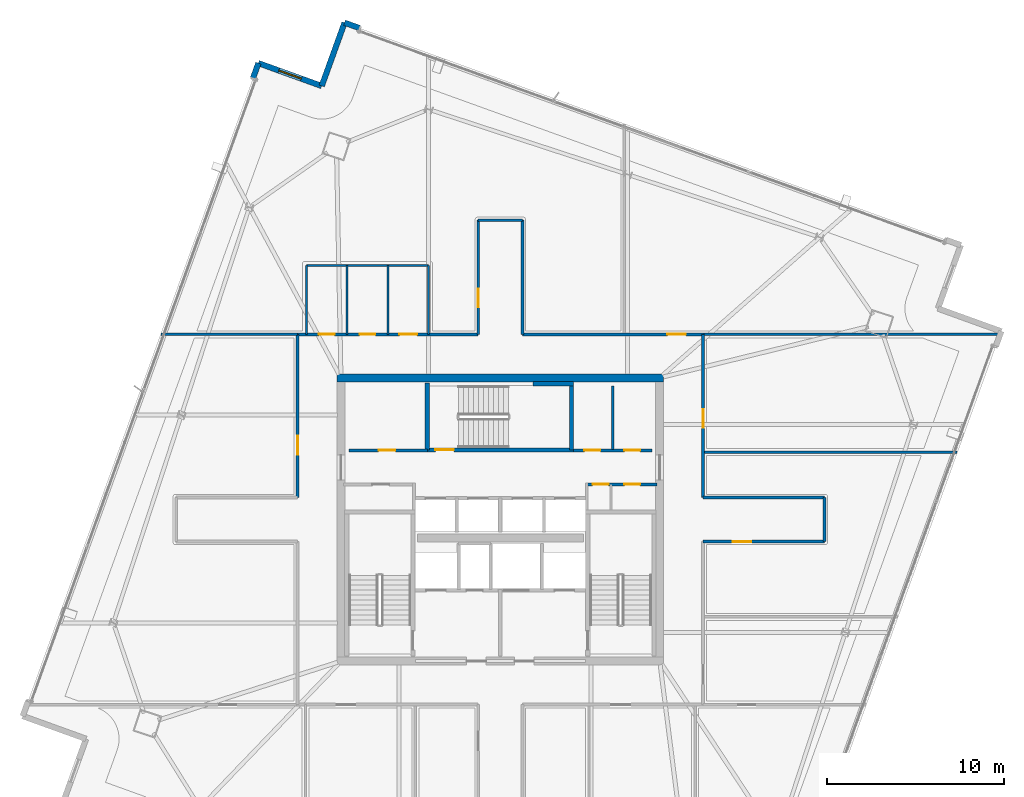
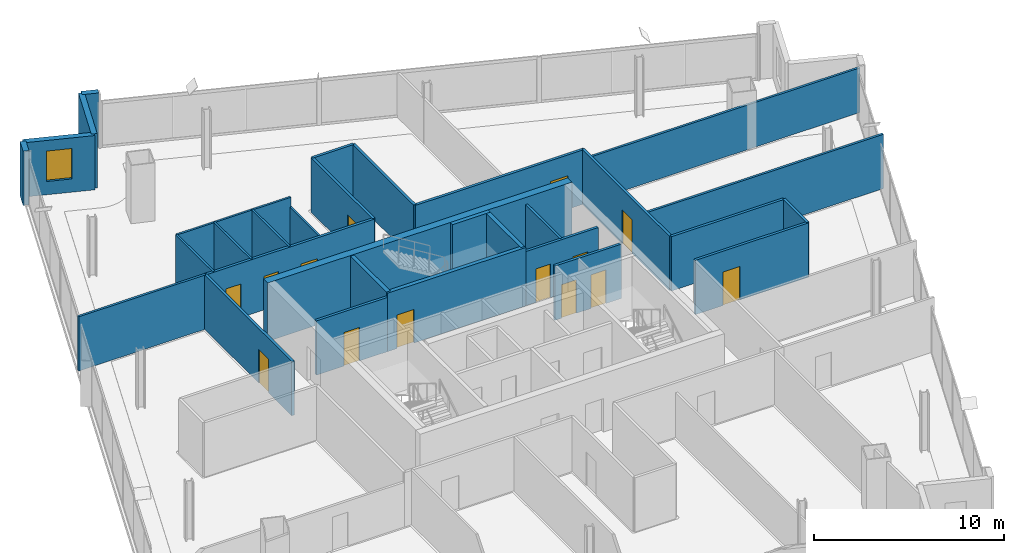
# One storey, part 21 of 27: 31 walls, 14 doors, 1 window, 15 openings.
"""IFC4 building model written with IfcOpenShell, lengths in metres."""

from ifc_helpers import new_model, si_unit, direction, frame, frame_2d, origin, place, context, subcontext, project, spatial, rectangle, extrude, material, layer, layer_set, type_object, element, fill, save


model = new_model("IFC4")

# Units and contexts
model_context = context("Model", 3, precision=1e-05, world=origin(), true_north=direction((0.0, 1.0)))
body_context = subcontext(model_context, "Body", "Model", "MODEL_VIEW")
ifc_project = project(units=[si_unit("LENGTHUNIT", "METRE"), si_unit("AREAUNIT", "SQUARE_METRE"), si_unit("VOLUMEUNIT", "CUBIC_METRE"), si_unit("PLANEANGLEUNIT", "RADIAN"), si_unit("MASSUNIT", "GRAM", prefix="KILO")], contexts=[model_context])

# Site, building, storey
site_placement = place(None, origin())
site = spatial("IfcSite", under=ifc_project, at=site_placement, CompositionType="ELEMENT")
building_placement = place(site_placement, origin())
building = spatial("IfcBuilding", under=site, at=building_placement, Name="Haldenkirk Collegiate Tower", CompositionType="ELEMENT")
storey_placement = place(building_placement, frame((0.0, 0.0, 263.699951171875)))
storey = spatial("IfcBuildingStorey", under=building, at=storey_placement, Name="L66", CompositionType="ELEMENT", Elevation=263.699951171875)

# Walls
ifc_material_1 = material(Name="Concrete f'c 55 MPa", Category="concrete")
ifc_layer_1 = layer(ifc_material_1, 0.449951171875)
ifc_layer_set_1 = layer_set([ifc_layer_1], Name="Concrete f'c 55 MPa")
wall_type_1 = type_object("IfcWallType", Name="WL-CORE-450", PredefinedType="SHEAR", material=ifc_layer_set_1)
wall_1_placement = place(storey_placement, frame((26.77490234375, 34.0, 0.0), z_axis=(0.0, 0.0, 1.0), x_axis=(1.0, 0.0, 0.0)))
element("IfcWall", 1, at=wall_1_placement, inside=storey, type_object=wall_type_1, Name="L66 central core shear wall N", PredefinedType="SHEAR", context=body_context, shape_type="SweptSolid", body=[
    extrude(rectangle(XDim=18.4501953125, YDim=0.449951171875, at=frame_2d((9.22509765625, 0.0))), origin(), (0.0, 0.0, 1.0), 3.75),
])
ifc_material_2 = material(Name="Precast concrete f'c 40 MPa", Category="concrete")
ifc_layer_2 = layer(ifc_material_2, 0.320068359375)
ifc_layer_set_2 = layer_set([ifc_layer_2], Name="Precast concrete f'c 40 MPa")
wall_type_2 = type_object("IfcWallType", Name="WL-EXT-TWR-320", PredefinedType="STANDARD", material=ifc_layer_set_2)
wall_2_placement = place(storey_placement, frame((27.203369140625, 54.0537109375, 0.0), z_axis=(0.0, 0.0, 1.0), x_axis=(0.940638134831, -0.339411106626, 0.0)))
element("IfcWall", 2, at=wall_2_placement, inside=storey, type_object=wall_type_2, Name="L66 precast corner pier EL", PredefinedType="STANDARD", context=body_context, shape_type="SweptSolid", body=[
    extrude(rectangle(XDim=0.89990234375, YDim=0.320068359375, at=frame_2d((0.449951171875, 0.0))), origin(), (0.0, 0.0, 1.0), 3.47998046875),
])
wall_3_placement = place(storey_placement, frame((25.912841796875, 50.4794921875, 0.0), z_axis=(0.0, 0.0, 1.0), x_axis=(0.339606573463, 0.940567581442, 0.0)))
element("IfcWall", 3, at=wall_3_placement, inside=storey, type_object=wall_type_2, Name="L66 bronze precast notch wall 05", PredefinedType="STANDARD", context=body_context, shape_type="SweptSolid", body=[
    extrude(rectangle(XDim=3.800048828125, YDim=0.320068359375, at=frame_2d((1.89990234375, 0.0))), origin(), (0.0, 0.0, 1.0), 3.47998046875),
])

# Wall, opening, window
wall_4_placement = place(storey_placement, frame((22.338623046875, 51.77001953125, 0.0), z_axis=(0.0, 0.0, 1.0), x_axis=(0.940567581442, -0.339606573463, 0.0)))
wall_4 = element("IfcWall", 4, at=wall_4_placement, inside=storey, type_object=wall_type_2, Name="L66 bronze precast notch wall 06", PredefinedType="STANDARD", context=body_context, shape_type="SweptSolid", body=[
    extrude(rectangle(XDim=3.800048828125, YDim=0.320068359375, at=frame_2d((1.89990234375, 0.0))), origin(), (0.0, 0.0, 1.0), 3.47998046875),
])
opening_1_placement = place(wall_4_placement, frame((1.22509765625, 0.0, 0.85009765625)))
opening_1 = element("IfcOpeningElement", 5, at=opening_1_placement, cuts=wall_4, Name="Opening W-07", PredefinedType="OPENING", context=body_context, shape_type="SweptSolid", body=[
    extrude(rectangle(XDim=1.35009765625, YDim=1.949951171875, at=frame_2d((0.675048828125, 0.97509765625))), frame((0.0, 0.169921875, 0.0), z_axis=(0.0, -1.0, 0.0), x_axis=(1.0, 0.0, 0.0)), (0.0, 0.0, 1.0), 0.340087890625),
])
ifc_material_3 = material(Name="Low-E argon triple insulating glass", Category="glass")
ifc_layer_3 = layer(ifc_material_3, 0.090087890625)
ifc_layer_set_3 = layer_set([ifc_layer_3], Name="Low-E argon triple insulating glass")
window_type = type_object("IfcWindowType", Name="WN-Z5-1350X1950", PartitioningType="SINGLE_PANEL", PredefinedType="WINDOW", material=ifc_layer_set_3)
window_placement = place(opening_1_placement, origin())
window = element("IfcWindow", 6, at=window_placement, inside=storey, type_object=window_type, Name="L66 precast-frame academic window 5", OverallHeight=1.949951171875, OverallWidth=1.35009765625, PartitioningType="SINGLE_PANEL", PredefinedType="WINDOW", context=body_context, shape_type="SweptSolid", body=[
    extrude(rectangle(XDim=1.35009765625, YDim=1.949951171875, at=frame_2d((0.675048828125, 0.97509765625))), frame((0.0, 0.030029296875, 0.0), z_axis=(0.0, -1.0, 0.0), x_axis=(1.0, 0.0, 0.0)), (0.0, 0.0, 1.0), 0.06005859375),
])
fill(opening_1, window)

# Wall
wall_5_placement = place(storey_placement, frame((22.033203125, 50.92333984375, 0.0), z_axis=(0.0, 0.0, 1.0), x_axis=(0.33932450745, 0.940669377967, 0.0)))
element("IfcWall", 7, at=wall_5_placement, inside=storey, type_object=wall_type_2, Name="L66 precast corner pier NR", PredefinedType="STANDARD", context=body_context, shape_type="SweptSolid", body=[
    extrude(rectangle(XDim=0.900146484375, YDim=0.320068359375, at=frame_2d((0.4501953125, 0.0))), origin(), (0.0, 0.0, 1.0), 3.47998046875),
])

# Wall, openings, doors
ifc_material_4 = material(Name="Acoustic fire-rated gypsum partition", Category="concrete")
ifc_layer_4 = layer(ifc_material_4, 0.159912109375)
ifc_layer_set_4 = layer_set([ifc_layer_4], Name="Acoustic fire-rated gypsum partition")
wall_type_3 = type_object("IfcWallType", Name="WL-INT-CORR-160", PredefinedType="PARTITIONING", material=ifc_layer_set_4)
wall_6_placement = place(storey_placement, frame((40.800048828125, 27.97998046875, 0.0), z_axis=(0.0, 0.0, 1.0), x_axis=(1.0, 0.0, 0.0)))
wall_6 = element("IfcWall", 8, at=wall_6_placement, inside=storey, type_object=wall_type_3, Name="L66 interior partition IW-L66-VCSE-N", PredefinedType="PARTITIONING", context=body_context, shape_type="SweptSolid", body=[
    extrude(rectangle(XDim=4.050048828125, YDim=0.159912109375, at=frame_2d((2.02490234375, 0.0))), origin(), (0.0, 0.0, 1.0), 3.47998046875),
])
opening_2_placement = place(wall_6_placement, frame((0.407470703125, 0.0, 0.0)))
opening_2 = element("IfcOpeningElement", 9, at=opening_2_placement, cuts=wall_6, Name="Opening D-11", PredefinedType="OPENING", context=body_context, shape_type="SweptSolid", body=[
    extrude(rectangle(XDim=0.89990234375, YDim=2.14990234375, at=frame_2d((0.449951171875, 1.074951171875))), frame((0.0, 0.08984375, 0.0), z_axis=(0.0, -1.0, 0.0), x_axis=(1.0, 0.0, 0.0)), (0.0, 0.0, 1.0), 0.179931640625),
])
opening_3_placement = place(wall_6_placement, frame((2.199951171875, 0.0, 0.0)))
opening_3 = element("IfcOpeningElement", 10, at=opening_3_placement, cuts=wall_6, Name="Opening D-11", PredefinedType="OPENING", context=body_context, shape_type="SweptSolid", body=[
    extrude(rectangle(XDim=0.89990234375, YDim=2.14990234375, at=frame_2d((0.449951171875, 1.074951171875))), frame((0.0, 0.08984375, 0.0), z_axis=(0.0, -1.0, 0.0), x_axis=(1.0, 0.0, 0.0)), (0.0, 0.0, 1.0), 0.179931640625),
])
ifc_material_5 = material(Name="Solid-core architectural oak fire door", Category="wood")
ifc_layer_5 = layer(ifc_material_5, 0.06005859375)
ifc_layer_set_5 = layer_set([ifc_layer_5], Name="Solid-core architectural oak fire door")
door_type_1 = type_object("IfcDoorType", Name="DR-INT-FD60-900", OperationType="NOTDEFINED", PredefinedType="DOOR", material=ifc_layer_set_5)
door_1_placement = place(opening_2_placement, origin())
door_1 = element("IfcDoor", 11, at=door_1_placement, inside=storey, type_object=door_type_1, Name="L66 core copy room door", OperationType="SINGLE_SWING_LEFT", OverallHeight=2.14990234375, OverallWidth=0.89990234375, PredefinedType="DOOR", context=body_context, shape_type="SweptSolid", body=[
    extrude(rectangle(XDim=0.89990234375, YDim=2.14990234375, at=frame_2d((0.449951171875, 1.074951171875))), frame((0.0, 0.02490234375, 0.0), z_axis=(0.0, -1.0, 0.0), x_axis=(1.0, 0.0, 0.0)), (0.0, 0.0, 1.0), 0.050048828125),
])
fill(opening_2, door_1)
door_2_placement = place(opening_3_placement, origin())
door_2 = element("IfcDoor", 12, at=door_2_placement, inside=storey, type_object=door_type_1, Name="L66 core records store door", OperationType="SINGLE_SWING_RIGHT", OverallHeight=2.14990234375, OverallWidth=0.89990234375, PredefinedType="DOOR", context=body_context, shape_type="SweptSolid", body=[
    extrude(rectangle(XDim=0.89990234375, YDim=2.14990234375, at=frame_2d((0.449951171875, 1.074951171875))), frame((0.0, 0.02490234375, 0.0), z_axis=(0.0, -1.0, 0.0), x_axis=(1.0, 0.0, 0.0)), (0.0, 0.0, 1.0), 0.050048828125),
])
fill(opening_3, door_2)

# Wall, opening, door
wall_7_placement = place(storey_placement, frame((27.449951171875, 29.89990234375, 0.0), z_axis=(0.0, 0.0, 1.0), x_axis=(1.0, 0.0, 0.0)))
wall_7 = element("IfcWall", 13, at=wall_7_placement, inside=storey, type_object=wall_type_3, Name="L66 interior partition IW-L66-PLS", PredefinedType="PARTITIONING", context=body_context, shape_type="SweptSolid", body=[
    extrude(rectangle(XDim=4.429931640625, YDim=0.159912109375, at=frame_2d((2.21484375, 0.0))), origin(), (0.0, 0.0, 1.0), 3.47998046875),
])
opening_4_placement = place(wall_7_placement, frame((1.675048828125, 0.0, 0.0)))
opening_4 = element("IfcOpeningElement", 14, at=opening_4_placement, cuts=wall_7, Name="Opening D-10", PredefinedType="OPENING", context=body_context, shape_type="SweptSolid", body=[
    extrude(rectangle(XDim=0.949951171875, YDim=2.14990234375, at=frame_2d((0.47509765625, 1.074951171875))), frame((0.0, 0.08984375, 0.0), z_axis=(0.0, -1.0, 0.0), x_axis=(1.0, 0.0, 0.0)), (0.0, 0.0, 1.0), 0.179931640625),
])
ifc_layer_6 = layer(ifc_material_5, 0.06005859375)
ifc_layer_set_6 = layer_set([ifc_layer_6], Name="Solid-core architectural oak fire door")
door_type_2 = type_object("IfcDoorType", Name="DR-INT-FD60-950", OperationType="NOTDEFINED", PredefinedType="DOOR", material=ifc_layer_set_6)
door_3_placement = place(opening_4_placement, origin())
door_3 = element("IfcDoor", 15, at=door_3_placement, inside=storey, type_object=door_type_2, Name="L66 archive door", OperationType="SINGLE_SWING_LEFT", OverallHeight=2.14990234375, OverallWidth=0.949951171875, PredefinedType="DOOR", context=body_context, shape_type="SweptSolid", body=[
    extrude(rectangle(XDim=0.949951171875, YDim=2.14990234375, at=frame_2d((0.47509765625, 1.074951171875))), frame((0.0, 0.02490234375, 0.0), z_axis=(0.0, -1.0, 0.0), x_axis=(1.0, 0.0, 0.0)), (0.0, 0.0, 1.0), 0.050048828125),
])
fill(opening_4, door_3)

# Wall, openings, doors
wall_8_placement = place(storey_placement, frame((40.1201171875, 29.89990234375, 0.0), z_axis=(0.0, 0.0, 1.0), x_axis=(1.0, 0.0, 0.0)))
wall_8 = element("IfcWall", 16, at=wall_8_placement, inside=storey, type_object=wall_type_3, Name="L66 interior partition IW-L66-PMS", PredefinedType="PARTITIONING", context=body_context, shape_type="SweptSolid", body=[
    extrude(rectangle(XDim=4.429931640625, YDim=0.159912109375, at=frame_2d((2.21484375, 0.0))), origin(), (0.0, 0.0, 1.0), 3.47998046875),
])
opening_5_placement = place(wall_8_placement, frame((0.6298828125, 0.0, 0.0)))
opening_5 = element("IfcOpeningElement", 17, at=opening_5_placement, cuts=wall_8, Name="Opening D-11", PredefinedType="OPENING", context=body_context, shape_type="SweptSolid", body=[
    extrude(rectangle(XDim=0.89990234375, YDim=2.14990234375, at=frame_2d((0.449951171875, 1.074951171875))), frame((0.0, 0.08984375, 0.0), z_axis=(0.0, -1.0, 0.0), x_axis=(1.0, 0.0, 0.0)), (0.0, 0.0, 1.0), 0.179931640625),
])
opening_6_placement = place(wall_8_placement, frame((2.8798828125, 0.0, 0.0)))
opening_6 = element("IfcOpeningElement", 18, at=opening_6_placement, cuts=wall_8, Name="Opening D-11", PredefinedType="OPENING", context=body_context, shape_type="SweptSolid", body=[
    extrude(rectangle(XDim=0.89990234375, YDim=2.14990234375, at=frame_2d((0.449951171875, 1.074951171875))), frame((0.0, 0.08984375, 0.0), z_axis=(0.0, -1.0, 0.0), x_axis=(1.0, 0.0, 0.0)), (0.0, 0.0, 1.0), 0.179931640625),
])
door_4_placement = place(opening_5_placement, origin())
door_4 = element("IfcDoor", 19, at=door_4_placement, inside=storey, type_object=door_type_1, Name="L66 staff WC door", OperationType="SINGLE_SWING_RIGHT", OverallHeight=2.14990234375, OverallWidth=0.89990234375, PredefinedType="DOOR", context=body_context, shape_type="SweptSolid", body=[
    extrude(rectangle(XDim=0.89990234375, YDim=2.14990234375, at=frame_2d((0.449951171875, 1.074951171875))), frame((0.0, 0.02490234375, 0.0), z_axis=(0.0, -1.0, 0.0), x_axis=(1.0, 0.0, 0.0)), (0.0, 0.0, 1.0), 0.050048828125),
])
fill(opening_5, door_4)
door_5_placement = place(opening_6_placement, origin())
door_5 = element("IfcDoor", 20, at=door_5_placement, inside=storey, type_object=door_type_1, Name="L66 seminar alcove door", OperationType="SINGLE_SWING_LEFT", OverallHeight=2.14990234375, OverallWidth=0.89990234375, PredefinedType="DOOR", context=body_context, shape_type="SweptSolid", body=[
    extrude(rectangle(XDim=0.89990234375, YDim=2.14990234375, at=frame_2d((0.449951171875, 1.074951171875))), frame((0.0, 0.02490234375, 0.0), z_axis=(0.0, -1.0, 0.0), x_axis=(1.0, 0.0, 0.0)), (0.0, 0.0, 1.0), 0.050048828125),
])
fill(opening_6, door_5)

wall_9_placement = place(storey_placement, frame((24.5, 36.449951171875, 0.0), z_axis=(0.0, 0.0, 1.0), x_axis=(1.0, 0.0, 0.0)))
wall_9 = element("IfcWall", 21, at=wall_9_placement, inside=storey, type_object=wall_type_3, Name="L66 interior partition IW-L66-CN1", PredefinedType="PARTITIONING", context=body_context, shape_type="SweptSolid", body=[
    extrude(rectangle(XDim=10.25, YDim=0.159912109375, at=frame_2d((5.125, 0.0))), origin(), (0.0, 0.0, 1.0), 3.47998046875),
])
opening_7_placement = place(wall_9_placement, frame((1.25, 0.0, 0.0)))
opening_7 = element("IfcOpeningElement", 22, at=opening_7_placement, cuts=wall_9, Name="Opening D-13", PredefinedType="OPENING", context=body_context, shape_type="SweptSolid", body=[
    extrude(rectangle(XDim=0.89990234375, YDim=2.14990234375, at=frame_2d((0.449951171875, 1.074951171875))), frame((0.0, 0.08984375, 0.0), z_axis=(0.0, -1.0, 0.0), x_axis=(1.0, 0.0, 0.0)), (0.0, 0.0, 1.0), 0.179931640625),
])
opening_8_placement = place(wall_9_placement, frame((3.550048828125, 0.0, 0.0)))
opening_8 = element("IfcOpeningElement", 23, at=opening_8_placement, cuts=wall_9, Name="Opening D-13", PredefinedType="OPENING", context=body_context, shape_type="SweptSolid", body=[
    extrude(rectangle(XDim=0.89990234375, YDim=2.14990234375, at=frame_2d((0.449951171875, 1.074951171875))), frame((0.0, 0.08984375, 0.0), z_axis=(0.0, -1.0, 0.0), x_axis=(1.0, 0.0, 0.0)), (0.0, 0.0, 1.0), 0.179931640625),
])
opening_9_placement = place(wall_9_placement, frame((5.800048828125, 0.0, 0.0)))
opening_9 = element("IfcOpeningElement", 24, at=opening_9_placement, cuts=wall_9, Name="Opening D-14", PredefinedType="OPENING", context=body_context, shape_type="SweptSolid", body=[
    extrude(rectangle(XDim=1.0, YDim=2.14990234375, at=frame_2d((0.5, 1.074951171875))), frame((0.0, 0.08984375, 0.0), z_axis=(0.0, -1.0, 0.0), x_axis=(1.0, 0.0, 0.0)), (0.0, 0.0, 1.0), 0.179931640625),
])
ifc_layer_7 = layer(ifc_material_5, 0.06005859375)
ifc_layer_set_7 = layer_set([ifc_layer_7], Name="Solid-core architectural oak fire door")
door_type_3 = type_object("IfcDoorType", Name="DR-INT-ACC-1000", OperationType="NOTDEFINED", PredefinedType="DOOR", material=ifc_layer_set_7)
door_6_placement = place(opening_9_placement, origin())
door_6 = element("IfcDoor", 25, at=door_6_placement, inside=storey, type_object=door_type_3, Name="L66 Accessible WC door", OperationType="SINGLE_SWING_RIGHT", OverallHeight=2.14990234375, OverallWidth=1.0, PredefinedType="DOOR", context=body_context, shape_type="SweptSolid", body=[
    extrude(rectangle(XDim=1.0, YDim=2.14990234375, at=frame_2d((0.5, 1.074951171875))), frame((0.0, 0.02490234375, 0.0), z_axis=(0.0, -1.0, 0.0), x_axis=(1.0, 0.0, 0.0)), (0.0, 0.0, 1.0), 0.050048828125),
])
fill(opening_9, door_6)
ifc_layer_8 = layer(ifc_material_5, 0.06005859375)
ifc_layer_set_8 = layer_set([ifc_layer_8], Name="Solid-core architectural oak fire door")
door_type_4 = type_object("IfcDoorType", Name="DR-INT-STD-900", OperationType="NOTDEFINED", PredefinedType="DOOR", material=ifc_layer_set_8)
door_7_placement = place(opening_7_placement, origin())
door_7 = element("IfcDoor", 26, at=door_7_placement, inside=storey, type_object=door_type_4, Name="L66 Male WC door", OperationType="SINGLE_SWING_RIGHT", OverallHeight=2.14990234375, OverallWidth=0.89990234375, PredefinedType="DOOR", context=body_context, shape_type="SweptSolid", body=[
    extrude(rectangle(XDim=0.89990234375, YDim=2.14990234375, at=frame_2d((0.449951171875, 1.074951171875))), frame((0.0, 0.02490234375, 0.0), z_axis=(0.0, -1.0, 0.0), x_axis=(1.0, 0.0, 0.0)), (0.0, 0.0, 1.0), 0.050048828125),
])
fill(opening_7, door_7)
door_8_placement = place(opening_8_placement, origin())
door_8 = element("IfcDoor", 27, at=door_8_placement, inside=storey, type_object=door_type_4, Name="L66 Female WC door", OperationType="SINGLE_SWING_LEFT", OverallHeight=2.14990234375, OverallWidth=0.89990234375, PredefinedType="DOOR", context=body_context, shape_type="SweptSolid", body=[
    extrude(rectangle(XDim=0.89990234375, YDim=2.14990234375, at=frame_2d((0.449951171875, 1.074951171875))), frame((0.0, 0.02490234375, 0.0), z_axis=(0.0, -1.0, 0.0), x_axis=(1.0, 0.0, 0.0)), (0.0, 0.0, 1.0), 0.050048828125),
])
fill(opening_8, door_8)

# Wall, opening, door
wall_10_placement = place(storey_placement, frame((37.25, 36.449951171875, 0.0), z_axis=(0.0, 0.0, 1.0), x_axis=(1.0, 0.0, 0.0)))
wall_10 = element("IfcWall", 28, at=wall_10_placement, inside=storey, type_object=wall_type_3, Name="L66 interior partition IW-L66-CN2", PredefinedType="PARTITIONING", context=body_context, shape_type="SweptSolid", body=[
    extrude(rectangle(XDim=10.25, YDim=0.159912109375, at=frame_2d((5.125, 0.0))), origin(), (0.0, 0.0, 1.0), 3.47998046875),
])
opening_10_placement = place(wall_10_placement, frame((8.178955078125, 0.0, 0.0)))
opening_10 = element("IfcOpeningElement", 29, at=opening_10_placement, cuts=wall_10, Name="Opening D-09", PredefinedType="OPENING", context=body_context, shape_type="SweptSolid", body=[
    extrude(rectangle(XDim=1.050048828125, YDim=2.14990234375, at=frame_2d((0.52490234375, 1.074951171875))), frame((0.0, 0.08984375, 0.0), z_axis=(0.0, -1.0, 0.0), x_axis=(1.0, 0.0, 0.0)), (0.0, 0.0, 1.0), 0.179931640625),
])
ifc_layer_9 = layer(ifc_material_5, 0.06005859375)
ifc_layer_set_9 = layer_set([ifc_layer_9], Name="Solid-core architectural oak fire door")
door_type_5 = type_object("IfcDoorType", Name="DR-INT-FD60-1050", OperationType="NOTDEFINED", PredefinedType="DOOR", material=ifc_layer_set_9)
door_9_placement = place(opening_10_placement, origin())
door_9 = element("IfcDoor", 30, at=door_9_placement, inside=storey, type_object=door_type_5, Name="L66 Wet Science Laboratory 7 door", OperationType="SINGLE_SWING_LEFT", OverallHeight=2.14990234375, OverallWidth=1.050048828125, PredefinedType="DOOR", context=body_context, shape_type="SweptSolid", body=[
    extrude(rectangle(XDim=1.050048828125, YDim=2.14990234375, at=frame_2d((0.52490234375, 1.074951171875))), frame((0.0, 0.02490234375, 0.0), z_axis=(0.0, -1.0, 0.0), x_axis=(1.0, 0.0, 0.0)), (0.0, 0.0, 1.0), 0.050048828125),
])
fill(opening_10, door_9)

wall_11_placement = place(storey_placement, frame((24.550048828125, 27.25, 0.0), z_axis=(0.0, 0.0, 1.0), x_axis=(0.0, 1.0, 0.0)))
wall_11 = element("IfcWall", 31, at=wall_11_placement, inside=storey, type_object=wall_type_3, Name="L66 interior partition IW-L66-CW2", PredefinedType="PARTITIONING", context=body_context, shape_type="SweptSolid", body=[
    extrude(rectangle(XDim=9.199951171875, YDim=0.159912109375, at=frame_2d((4.60009765625, 0.0))), origin(), (0.0, 0.0, 1.0), 3.47998046875),
])
opening_11_placement = place(wall_11_placement, frame((2.4189453125, 0.0, 0.0)))
opening_11 = element("IfcOpeningElement", 32, at=opening_11_placement, cuts=wall_11, Name="Opening D-09", PredefinedType="OPENING", context=body_context, shape_type="SweptSolid", body=[
    extrude(rectangle(XDim=1.050048828125, YDim=2.14990234375, at=frame_2d((0.52490234375, 1.074951171875))), frame((0.0, 0.08984375, 0.0), z_axis=(0.0, -1.0, 0.0), x_axis=(1.0, 0.0, 0.0)), (0.0, 0.0, 1.0), 0.179931640625),
])
door_10_placement = place(opening_11_placement, origin())
door_10 = element("IfcDoor", 33, at=door_10_placement, inside=storey, type_object=door_type_5, Name="L66 Computational Design Studio 8 door", OperationType="SINGLE_SWING_RIGHT", OverallHeight=2.14990234375, OverallWidth=1.050048828125, PredefinedType="DOOR", context=body_context, shape_type="SweptSolid", body=[
    extrude(rectangle(XDim=1.050048828125, YDim=2.14990234375, at=frame_2d((0.52490234375, 1.074951171875))), frame((0.0, 0.02490234375, 0.0), z_axis=(0.0, -1.0, 0.0), x_axis=(1.0, 0.0, 0.0)), (0.0, 0.0, 1.0), 0.050048828125),
])
fill(opening_11, door_10)

wall_12_placement = place(storey_placement, frame((47.449951171875, 27.25, 0.0), z_axis=(0.0, 0.0, 1.0), x_axis=(0.0, 1.0, 0.0)))
wall_12 = element("IfcWall", 34, at=wall_12_placement, inside=storey, type_object=wall_type_3, Name="L66 interior partition IW-L66-CE2", PredefinedType="PARTITIONING", context=body_context, shape_type="SweptSolid", body=[
    extrude(rectangle(XDim=9.199951171875, YDim=0.159912109375, at=frame_2d((4.60009765625, 0.0))), origin(), (0.0, 0.0, 1.0), 3.47998046875),
])
opening_12_placement = place(wall_12_placement, frame((3.927001953125, 0.0, 0.0)))
opening_12 = element("IfcOpeningElement", 35, at=opening_12_placement, cuts=wall_12, Name="Opening D-09", PredefinedType="OPENING", context=body_context, shape_type="SweptSolid", body=[
    extrude(rectangle(XDim=1.050048828125, YDim=2.14990234375, at=frame_2d((0.52490234375, 1.074951171875))), frame((0.0, 0.08984375, 0.0), z_axis=(0.0, -1.0, 0.0), x_axis=(1.0, 0.0, 0.0)), (0.0, 0.0, 1.0), 0.179931640625),
])
door_11_placement = place(opening_12_placement, origin())
door_11 = element("IfcDoor", 36, at=door_11_placement, inside=storey, type_object=door_type_5, Name="L66 Optics Research Laboratory 11 door", OperationType="SINGLE_SWING_LEFT", OverallHeight=2.14990234375, OverallWidth=1.050048828125, PredefinedType="DOOR", context=body_context, shape_type="SweptSolid", body=[
    extrude(rectangle(XDim=1.050048828125, YDim=2.14990234375, at=frame_2d((0.52490234375, 1.074951171875))), frame((0.0, 0.02490234375, 0.0), z_axis=(0.0, -1.0, 0.0), x_axis=(1.0, 0.0, 0.0)), (0.0, 0.0, 1.0), 0.050048828125),
])
fill(opening_12, door_11)

wall_13_placement = place(storey_placement, frame((34.75, 36.449951171875, 0.0), z_axis=(0.0, 0.0, 1.0), x_axis=(0.0, 1.0, 0.0)))
wall_13 = element("IfcWall", 37, at=wall_13_placement, inside=storey, type_object=wall_type_3, Name="L66 interior partition IW-L66-NPW", PredefinedType="PARTITIONING", context=body_context, shape_type="SweptSolid", body=[
    extrude(rectangle(XDim=6.449951171875, YDim=0.159912109375, at=frame_2d((3.22509765625, 0.0))), origin(), (0.0, 0.0, 1.0), 3.47998046875),
])
opening_13_placement = place(wall_13_placement, frame((1.5390625, 0.0, 0.0)))
opening_13 = element("IfcOpeningElement", 38, at=opening_13_placement, cuts=wall_13, Name="Opening D-09", PredefinedType="OPENING", context=body_context, shape_type="SweptSolid", body=[
    extrude(rectangle(XDim=1.050048828125, YDim=2.14990234375, at=frame_2d((0.52490234375, 1.074951171875))), frame((0.0, 0.08984375, 0.0), z_axis=(0.0, -1.0, 0.0), x_axis=(1.0, 0.0, 0.0)), (0.0, 0.0, 1.0), 0.179931640625),
])
door_12_placement = place(opening_13_placement, origin())
door_12 = element("IfcDoor", 39, at=door_12_placement, inside=storey, type_object=door_type_5, Name="L66 Bioengineering Laboratory 6 door", OperationType="SINGLE_SWING_RIGHT", OverallHeight=2.14990234375, OverallWidth=1.050048828125, PredefinedType="DOOR", context=body_context, shape_type="SweptSolid", body=[
    extrude(rectangle(XDim=1.050048828125, YDim=2.14990234375, at=frame_2d((0.52490234375, 1.074951171875))), frame((0.0, 0.02490234375, 0.0), z_axis=(0.0, -1.0, 0.0), x_axis=(1.0, 0.0, 0.0)), (0.0, 0.0, 1.0), 0.050048828125),
])
fill(opening_13, door_12)

# Walls
wall_14_placement = place(storey_placement, frame((37.25, 36.449951171875, 0.0), z_axis=(0.0, 0.0, 1.0), x_axis=(0.0, 1.0, 0.0)))
element("IfcWall", 40, at=wall_14_placement, inside=storey, type_object=wall_type_3, Name="L66 interior partition IW-L66-NPE", PredefinedType="PARTITIONING", context=body_context, shape_type="SweptSolid", body=[
    extrude(rectangle(XDim=6.449951171875, YDim=0.159912109375, at=frame_2d((3.22509765625, 0.0))), origin(), (0.0, 0.0, 1.0), 3.47998046875),
])
wall_15_placement = place(storey_placement, frame((34.75, 42.89990234375, 0.0), z_axis=(0.0, 0.0, 1.0), x_axis=(1.0, 0.0, 0.0)))
element("IfcWall", 41, at=wall_15_placement, inside=storey, type_object=wall_type_3, Name="L66 interior partition IW-L66-NPN", PredefinedType="PARTITIONING", context=body_context, shape_type="SweptSolid", body=[
    extrude(rectangle(XDim=2.5, YDim=0.159912109375, at=frame_2d((1.25, 0.0))), origin(), (0.0, 0.0, 1.0), 3.47998046875),
])

# Wall, opening, door
wall_16_placement = place(storey_placement, frame((47.449951171875, 24.75, 0.0), z_axis=(0.0, 0.0, 1.0), x_axis=(1.0, 0.0, 0.0)))
wall_16 = element("IfcWall", 42, at=wall_16_placement, inside=storey, type_object=wall_type_3, Name="L66 interior partition IW-L66-EPS", PredefinedType="PARTITIONING", context=body_context, shape_type="SweptSolid", body=[
    extrude(rectangle(XDim=6.85009765625, YDim=0.159912109375, at=frame_2d((3.425048828125, 0.0))), origin(), (0.0, 0.0, 1.0), 3.47998046875),
])
opening_14_placement = place(wall_16_placement, frame((1.6669921875, 0.0, 0.0)))
opening_14 = element("IfcOpeningElement", 43, at=opening_14_placement, cuts=wall_16, Name="Opening D-09", PredefinedType="OPENING", context=body_context, shape_type="SweptSolid", body=[
    extrude(rectangle(XDim=1.050048828125, YDim=2.14990234375, at=frame_2d((0.52490234375, 1.074951171875))), frame((0.0, 0.08984375, 0.0), z_axis=(0.0, -1.0, 0.0), x_axis=(1.0, 0.0, 0.0)), (0.0, 0.0, 1.0), 0.179931640625),
])
door_13_placement = place(opening_14_placement, origin())
door_13 = element("IfcDoor", 44, at=door_13_placement, inside=storey, type_object=door_type_5, Name="L66 Environmental Lab 10 door", OperationType="SINGLE_SWING_RIGHT", OverallHeight=2.14990234375, OverallWidth=1.050048828125, PredefinedType="DOOR", context=body_context, shape_type="SweptSolid", body=[
    extrude(rectangle(XDim=1.050048828125, YDim=2.14990234375, at=frame_2d((0.52490234375, 1.074951171875))), frame((0.0, 0.02490234375, 0.0), z_axis=(0.0, -1.0, 0.0), x_axis=(1.0, 0.0, 0.0)), (0.0, 0.0, 1.0), 0.050048828125),
])
fill(opening_14, door_13)

# Walls
wall_17_placement = place(storey_placement, frame((47.449951171875, 27.25, 0.0), z_axis=(0.0, 0.0, 1.0), x_axis=(1.0, 0.0, 0.0)))
element("IfcWall", 45, at=wall_17_placement, inside=storey, type_object=wall_type_3, Name="L66 interior partition IW-L66-EPN", PredefinedType="PARTITIONING", context=body_context, shape_type="SweptSolid", body=[
    extrude(rectangle(XDim=6.85009765625, YDim=0.159912109375, at=frame_2d((3.425048828125, 0.0))), origin(), (0.0, 0.0, 1.0), 3.47998046875),
])
wall_18_placement = place(storey_placement, frame((54.300048828125, 24.75, 0.0), z_axis=(0.0, 0.0, 1.0), x_axis=(0.0, 1.0, 0.0)))
element("IfcWall", 46, at=wall_18_placement, inside=storey, type_object=wall_type_3, Name="L66 interior partition IW-L66-EPE", PredefinedType="PARTITIONING", context=body_context, shape_type="SweptSolid", body=[
    extrude(rectangle(XDim=2.5, YDim=0.159912109375, at=frame_2d((1.25, 0.0))), origin(), (0.0, 0.0, 1.0), 3.47998046875),
])
ifc_layer_10 = layer(ifc_material_4, 0.139892578125)
ifc_layer_set_10 = layer_set([ifc_layer_10], Name="Acoustic fire-rated gypsum partition")
wall_type_4 = type_object("IfcWallType", Name="WL-INT-DIV-140", PredefinedType="PARTITIONING", material=ifc_layer_set_10)
wall_19_placement = place(storey_placement, frame((42.35009765625, 29.949951171875, 0.0), z_axis=(0.0, 0.0, 1.0), x_axis=(0.0, 1.0, 0.0)))
element("IfcWall", 47, at=wall_19_placement, inside=storey, type_object=wall_type_4, Name="L66 interior partition IW-L66-PMDIV", PredefinedType="PARTITIONING", context=body_context, shape_type="SweptSolid", body=[
    extrude(rectangle(XDim=3.60009765625, YDim=0.139892578125, at=frame_2d((1.800048828125, 0.0))), origin(), (0.0, 0.0, 1.0), 3.47998046875),
])
wall_20_placement = place(storey_placement, frame((16.8505859375, 36.449951171875, 0.0), z_axis=(0.0, 0.0, 1.0), x_axis=(1.0, 0.0, 0.0)))
element("IfcWall", 48, at=wall_20_placement, inside=storey, type_object=wall_type_4, Name="L66 interior partition IW-L66-BWN", PredefinedType="PARTITIONING", context=body_context, shape_type="SweptSolid", body=[
    extrude(rectangle(XDim=7.699462890625, YDim=0.139892578125, at=frame_2d((3.849609375, 0.0))), origin(), (0.0, 0.0, 1.0), 3.47998046875),
])
wall_21_placement = place(storey_placement, frame((47.449951171875, 36.449951171875, 0.0), z_axis=(0.0, 0.0, 1.0), x_axis=(1.0, 0.0, 0.0)))
element("IfcWall", 49, at=wall_21_placement, inside=storey, type_object=wall_type_4, Name="L66 interior partition IW-L66-BEN", PredefinedType="PARTITIONING", context=body_context, shape_type="SweptSolid", body=[
    extrude(rectangle(XDim=16.73291015625, YDim=0.139892578125, at=frame_2d((8.366455078125, 0.0))), origin(), (0.0, 0.0, 1.0), 2.858154296875),
])
wall_22_placement = place(storey_placement, frame((47.449951171875, 29.800048828125, 0.0), z_axis=(0.0, 0.0, 1.0), x_axis=(1.0, 0.0, 0.0)))
element("IfcWall", 50, at=wall_22_placement, inside=storey, type_object=wall_type_4, Name="L66 interior partition IW-L66-RE2", PredefinedType="PARTITIONING", context=body_context, shape_type="SweptSolid", body=[
    extrude(rectangle(XDim=14.332275390625, YDim=0.139892578125, at=frame_2d((7.166015625, 0.0))), origin(), (0.0, 0.0, 1.0), 3.47998046875),
])
ifc_layer_11 = layer(ifc_material_4, 0.1201171875)
ifc_layer_set_11 = layer_set([ifc_layer_11], Name="Acoustic fire-rated gypsum partition")
wall_type_5 = type_object("IfcWallType", Name="WL-INT-WET-120", PredefinedType="PARTITIONING", material=ifc_layer_set_11)
for number, where, z_axis, x_axis, name in (
    (51, (25.050048828125, 36.449951171875, 0.0), (0.0, 0.0, 1.0), (0.0, 1.0, 0.0), "L66 interior partition IW-L66-WCW"),
    (52, (27.35009765625, 36.449951171875, 0.0), (0.0, 0.0, 1.0), (0.0, 1.0, 0.0), "L66 interior partition IW-L66-WC1"),
    (53, (29.64990234375, 36.449951171875, 0.0), (0.0, 0.0, 1.0), (0.0, 1.0, 0.0), "L66 interior partition IW-L66-WC2"),
):
    element("IfcWall", number, at=place(storey_placement, frame(where, z_axis=z_axis, x_axis=x_axis)), inside=storey, type_object=wall_type_5, Name=name, PredefinedType="PARTITIONING", context=body_context, shape_type="SweptSolid", body=[
        extrude(rectangle(XDim=3.900146484375, YDim=0.1201171875, at=frame_2d((1.9501953125, 0.0))), origin(), (0.0, 0.0, 1.0), 3.47998046875),
    ])
wall_23_placement = place(storey_placement, frame((31.949951171875, 36.449951171875, 0.0), z_axis=(0.0, 0.0, 1.0), x_axis=(0.0, 1.0, 0.0)))
element("IfcWall", 54, at=wall_23_placement, inside=storey, type_object=wall_type_5, Name="L66 interior partition IW-L66-WCE", PredefinedType="PARTITIONING", context=body_context, shape_type="SweptSolid", body=[
    extrude(rectangle(XDim=3.900146484375, YDim=0.1201171875, at=frame_2d((1.9501953125, 0.0))), origin(), (0.0, 0.0, 1.0), 2.858154296875),
])
wall_24_placement = place(storey_placement, frame((25.050048828125, 40.35009765625, 0.0), z_axis=(0.0, 0.0, 1.0), x_axis=(1.0, 0.0, 0.0)))
element("IfcWall", 55, at=wall_24_placement, inside=storey, type_object=wall_type_5, Name="L66 interior partition IW-L66-WCB", PredefinedType="PARTITIONING", context=body_context, shape_type="SweptSolid", body=[
    extrude(rectangle(XDim=6.89990234375, YDim=0.1201171875, at=frame_2d((3.449951171875, 0.0))), origin(), (0.0, 0.0, 1.0), 3.47998046875),
])

# Wall, opening, door
ifc_layer_12 = layer(ifc_material_1, 0.239990234375)
ifc_layer_set_12 = layer_set([ifc_layer_12], Name="Concrete f'c 55 MPa")
wall_type_6 = type_object("IfcWallType", Name="WL-SHAFT-240", PredefinedType="SHEAR", material=ifc_layer_set_12)
wall_25_placement = place(storey_placement, frame((31.760009765625, 29.929931640625, 0.0), z_axis=(0.0, 0.0, 1.0), x_axis=(1.0, 0.0, 0.0)))
wall_25 = element("IfcWall", 56, at=wall_25_placement, inside=storey, type_object=wall_type_6, Name="L66 stair shaft shear wall SW-L66-ST3S", PredefinedType="SHEAR", context=body_context, shape_type="SweptSolid", body=[
    extrude(rectangle(XDim=8.3798828125, YDim=0.239990234375, at=frame_2d((4.18994140625, 0.0))), origin(), (0.0, 0.0, 1.0), 3.75),
])
opening_15_placement = place(wall_25_placement, frame((0.56494140625, 0.0, 0.0)))
opening_15 = element("IfcOpeningElement", 57, at=opening_15_placement, cuts=wall_25, Name="Opening D-01", PredefinedType="OPENING", context=body_context, shape_type="SweptSolid", body=[
    extrude(rectangle(XDim=1.050048828125, YDim=2.14990234375, at=frame_2d((0.52490234375, 1.074951171875))), frame((0.0, 0.1298828125, 0.0), z_axis=(0.0, -1.0, 0.0), x_axis=(1.0, 0.0, 0.0)), (0.0, 0.0, 1.0), 0.260009765625),
])
ifc_material_6 = material(Name="Galvanized fire-rated hollow steel door", Category="steel")
ifc_layer_13 = layer(ifc_material_6, 0.06005859375)
ifc_layer_set_13 = layer_set([ifc_layer_13], Name="Galvanized fire-rated hollow steel door")
door_type_6 = type_object("IfcDoorType", Name="DR-STAIR-FD90-1050", OperationType="NOTDEFINED", PredefinedType="DOOR", material=ifc_layer_set_13)
door_14_placement = place(opening_15_placement, origin())
door_14 = element("IfcDoor", 58, at=door_14_placement, inside=storey, type_object=door_type_6, Name="L66 lift lobby Stair 3 door", OperationType="SINGLE_SWING_RIGHT", OverallHeight=2.14990234375, OverallWidth=1.050048828125, PredefinedType="DOOR", context=body_context, shape_type="SweptSolid", body=[
    extrude(rectangle(XDim=1.050048828125, YDim=2.14990234375, at=frame_2d((0.52490234375, 1.074951171875))), frame((0.0, 0.02490234375, 0.0), z_axis=(0.0, -1.0, 0.0), x_axis=(1.0, 0.0, 0.0)), (0.0, 0.0, 1.0), 0.050048828125),
])
fill(opening_15, door_14)

# Walls
wall_26_placement = place(storey_placement, frame((31.8798828125, 29.929931640625, 0.0), z_axis=(0.0, 0.0, 1.0), x_axis=(0.0, 1.0, 0.0)))
element("IfcWall", 59, at=wall_26_placement, inside=storey, type_object=wall_type_6, Name="L66 stair shaft shear wall SW-L66-ST3W", PredefinedType="SHEAR", context=body_context, shape_type="SweptSolid", body=[
    extrude(rectangle(XDim=3.7900390625, YDim=0.239990234375, at=frame_2d((1.89501953125, 0.0))), origin(), (0.0, 0.0, 1.0), 3.75),
])
wall_27_placement = place(storey_placement, frame((40.02001953125, 29.929931640625, 0.0), z_axis=(0.0, 0.0, 1.0), x_axis=(0.0, 1.0, 0.0)))
element("IfcWall", 60, at=wall_27_placement, inside=storey, type_object=wall_type_6, Name="L66 stair shaft shear wall SW-L66-ST3E", PredefinedType="SHEAR", context=body_context, shape_type="SweptSolid", body=[
    extrude(rectangle(XDim=3.85009765625, YDim=0.239990234375, at=frame_2d((1.925048828125, 0.0))), origin(), (0.0, 0.0, 1.0), 3.75),
])
wall_28_placement = place(storey_placement, frame((37.85009765625, 33.659912109375, 0.0), z_axis=(0.0, 0.0, 1.0), x_axis=(1.0, 0.0, 0.0)))
element("IfcWall", 61, at=wall_28_placement, inside=storey, type_object=wall_type_6, Name="L66 stair shaft shear wall SW-L66-ST3N", PredefinedType="SHEAR", context=body_context, shape_type="SweptSolid", body=[
    extrude(rectangle(XDim=2.289794921875, YDim=0.239990234375, at=frame_2d((1.14501953125, 0.0))), origin(), (0.0, 0.0, 1.0), 3.75),
])

save(model, "model.ifc")
